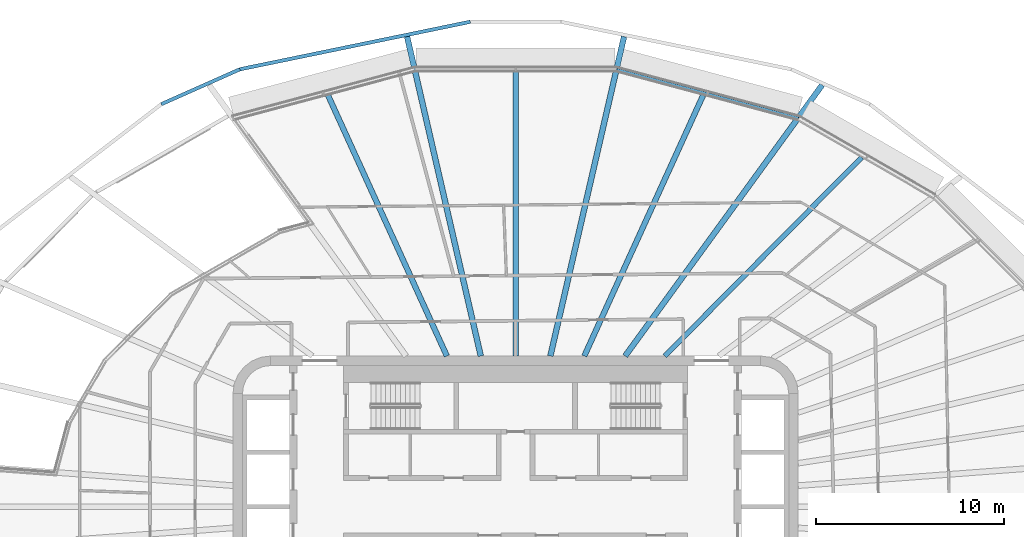
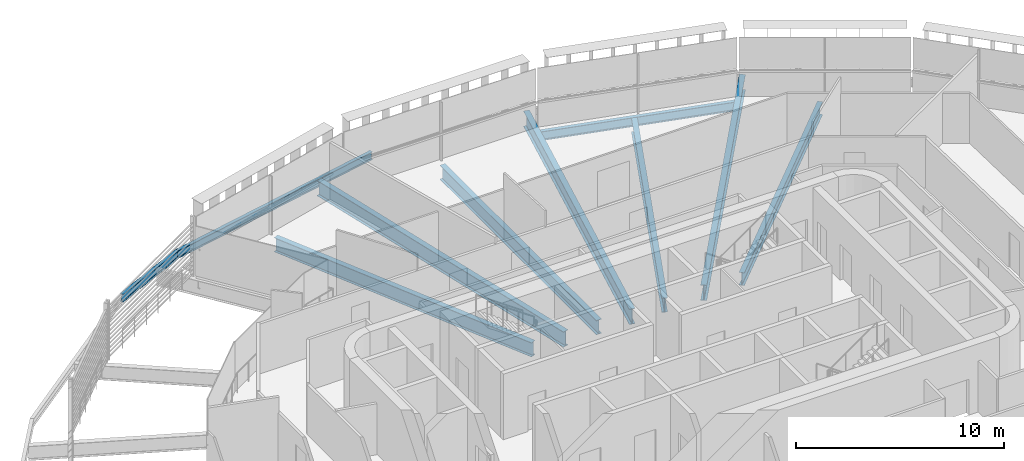
# One storey, part 6 of 22: 10 beams.
"""IFC4 building model written with IfcOpenShell, lengths in metres."""

from ifc_helpers import new_model, si_unit, direction, frame, origin, origin_2d, place, context, subcontext, project, spatial, i_section, extrude, material, material_profile, profile_set, type_object, element, save


model = new_model("IFC4")

# Units and contexts
model_context = context("Model", 3, precision=1e-05, world=origin(), true_north=direction((0.0, 1.0)))
body_context = subcontext(model_context, "Body", "Model", "MODEL_VIEW")
ifc_project = project(units=[si_unit("LENGTHUNIT", "METRE"), si_unit("AREAUNIT", "SQUARE_METRE"), si_unit("VOLUMEUNIT", "CUBIC_METRE"), si_unit("PLANEANGLEUNIT", "RADIAN"), si_unit("MASSUNIT", "GRAM", prefix="KILO")], contexts=[model_context])

# Site, building, storey
site_placement = place(None, origin())
site = spatial("IfcSite", under=ifc_project, at=site_placement, CompositionType="ELEMENT")
building_placement = place(site_placement, origin())
building = spatial("IfcBuilding", under=site, at=building_placement, Name="Sahrelin Media Tower", CompositionType="ELEMENT")
storey_placement = place(building_placement, frame((0.0, 0.0, 177.60009765625)))
storey = spatial("IfcBuildingStorey", under=building, at=storey_placement, Name="L37", CompositionType="ELEMENT", Elevation=177.60009765625)

# Beams
ifc_material = material(Name="Steel S355", Category="steel")
ifc_material_profile_1 = material_profile(ifc_material, i_section(OverallWidth=0.208740234375, OverallDepth=0.5283203125, WebThickness=0.009521484375, FlangeThickness=0.01318359375, FilletRadius=0.0126953125, at=origin_2d()), Name="UB 533x210x82")
ifc_profile_set_1 = profile_set([ifc_material_profile_1], Name="Steel S355")
beam_type_1 = type_object("IfcBeamType", Name="Edge beam EB6", PredefinedType="BEAM", material=ifc_profile_set_1)
beam_1_placement = place(storey_placement, frame((5.376953125, 23.1708984375, -0.414306640625), z_axis=(0.96592704093, -0.258814511957, 0.0), x_axis=(0.258814511957, 0.96592704093, 0.0)))
element("IfcBeam", 1, at=beam_1_placement, inside=storey, type_object=beam_type_1, Name="Edge beam L37-16", PredefinedType="BEAM", context=body_context, shape_type="SweptSolid", body=[
    extrude(i_section(OverallWidth=0.208740234375, OverallDepth=0.5283203125, WebThickness=0.009521484375, FlangeThickness=0.01318359375, FilletRadius=0.0126953125, at=origin_2d()), origin(), (0.0, 0.0, 1.0), 9.95849609375),
])
ifc_material_profile_2 = material_profile(ifc_material, i_section(OverallWidth=0.30322265625, OverallDepth=0.903076171875, WebThickness=0.01513671875, FlangeThickness=0.020263671875, FilletRadius=0.01904296875, at=origin_2d()), Name="UB 914x305x201")
ifc_profile_set_2 = profile_set([ifc_material_profile_2], Name="Steel S355")
beam_type_2 = type_object("IfcBeamType", Name="Radial primary beam PB11", PredefinedType="BEAM", material=ifc_profile_set_2)
beam_2_placement = place(storey_placement, frame((5.81494140625, 8.0, -0.6015625), z_axis=(0.587965973152, 0.80888566214, 0.0), x_axis=(-0.80888566214, 0.587965973152, 0.0)))
element("IfcBeam", 2, at=beam_2_placement, inside=storey, type_object=beam_type_2, Name="Radial beam L37-05", PredefinedType="BEAM", context=body_context, shape_type="SweptSolid", body=[
    extrude(i_section(OverallWidth=0.30322265625, OverallDepth=0.903076171875, WebThickness=0.01513671875, FlangeThickness=0.020263671875, FilletRadius=0.01904296875, at=origin_2d()), origin(), (0.0, 0.0, 1.0), 17.783447265625),
])
for number, where, z_axis, x_axis, name in (
    (3, (1.84619140625, 8.0, -0.6015625), (0.224860531753, 0.974390959143, 0.0), (-0.974390959143, 0.224860531753, 0.0), "Radial beam L37-06"),
    (4, (-1.84619140625, 8.0, -0.6015625), (-0.224860531753, 0.974390959143, 0.0), (-0.974390959143, -0.224860531753, 0.0), "Radial beam L37-07"),
):
    element("IfcBeam", number, at=place(storey_placement, frame(where, z_axis=z_axis, x_axis=x_axis)), inside=storey, type_object=beam_type_2, Name=name, PredefinedType="BEAM", context=body_context, shape_type="SweptSolid", body=[
        extrude(i_section(OverallWidth=0.30322265625, OverallDepth=0.903076171875, WebThickness=0.01513671875, FlangeThickness=0.020263671875, FilletRadius=0.01904296875, at=origin_2d()), origin(), (0.0, 0.0, 1.0), 17.394775390625),
    ])
ifc_material_profile_3 = material_profile(ifc_material, i_section(OverallWidth=0.291748046875, OverallDepth=0.8349609375, WebThickness=0.013916015625, FlangeThickness=0.018798828125, FilletRadius=0.017822265625, at=origin_2d()), Name="UB 838x292x176")
ifc_profile_set_3 = profile_set([ifc_material_profile_3], Name="Steel S355")
beam_type_3 = type_object("IfcBeamType", Name="Radial secondary beam SB10", PredefinedType="BEAM", material=ifc_profile_set_3)
beam_3_placement = place(storey_placement, frame((3.646484375, 8.0, -0.567626953125), z_axis=(0.414742623405, 0.909938765155, 0.0), x_axis=(-0.909938765155, 0.414742623405, 0.0)))
element("IfcBeam", 5, at=beam_3_placement, inside=storey, type_object=beam_type_3, Name="Secondary beam L37-05", PredefinedType="BEAM", context=body_context, shape_type="SweptSolid", body=[
    extrude(i_section(OverallWidth=0.291748046875, OverallDepth=0.8349609375, WebThickness=0.013916015625, FlangeThickness=0.018798828125, FilletRadius=0.017822265625, at=origin_2d()), origin(), (0.0, 0.0, 1.0), 15.2060546875),
])
beam_4_placement = place(storey_placement, frame((0.0, 8.0, -0.567626953125), z_axis=(0.0, 1.0, 0.0), x_axis=(-1.0, 0.0, 0.0)))
element("IfcBeam", 6, at=beam_4_placement, inside=storey, type_object=beam_type_3, Name="Secondary beam L37-06", PredefinedType="BEAM", context=body_context, shape_type="SweptSolid", body=[
    extrude(i_section(OverallWidth=0.291748046875, OverallDepth=0.8349609375, WebThickness=0.013916015625, FlangeThickness=0.018798828125, FilletRadius=0.017822265625, at=origin_2d()), origin(), (0.0, 0.0, 1.0), 15.060791015625),
])
beam_5_placement = place(storey_placement, frame((-3.646484375, 8.0, -0.567626953125), z_axis=(-0.414742623405, 0.909938765155, 0.0), x_axis=(-0.909938765155, -0.414742623405, 0.0)))
element("IfcBeam", 7, at=beam_5_placement, inside=storey, type_object=beam_type_3, Name="Secondary beam L37-07", PredefinedType="BEAM", context=body_context, shape_type="SweptSolid", body=[
    extrude(i_section(OverallWidth=0.291748046875, OverallDepth=0.8349609375, WebThickness=0.013916015625, FlangeThickness=0.018798828125, FilletRadius=0.017822265625, at=origin_2d()), origin(), (0.0, 0.0, 1.0), 15.2060546875),
])
ifc_material_profile_4 = material_profile(ifc_material, i_section(OverallWidth=0.26513671875, OverallDepth=0.75390625, WebThickness=0.0126953125, FlangeThickness=0.017578125, FilletRadius=0.0166015625, at=origin_2d()), Name="UB 762x267x147")
ifc_profile_set_4 = profile_set([ifc_material_profile_4], Name="Steel S355")
beam_type_4 = type_object("IfcBeamType", Name="Radial secondary beam SB9", PredefinedType="BEAM", material=ifc_profile_set_4)
beam_6_placement = place(storey_placement, frame((7.92431640625, 8.0, -0.527099609375), z_axis=(0.703742333182, 0.710455296615, 0.0), x_axis=(-0.710455296615, 0.703742333182, 0.0)))
element("IfcBeam", 8, at=beam_6_placement, inside=storey, type_object=beam_type_4, Name="Secondary beam L37-04", PredefinedType="BEAM", context=body_context, shape_type="SweptSolid", body=[
    extrude(i_section(OverallWidth=0.26513671875, OverallDepth=0.75390625, WebThickness=0.0126953125, FlangeThickness=0.017578125, FilletRadius=0.0166015625, at=origin_2d()), origin(), (0.0, 0.0, 1.0), 14.83837890625),
])
ifc_material_profile_5 = material_profile(ifc_material, i_section(OverallWidth=0.1904296875, OverallDepth=0.45703125, WebThickness=0.009033203125, FlangeThickness=0.014404296875, FilletRadius=0.01025390625, at=origin_2d()), Name="UB 457x191x74")
ifc_profile_set_5 = profile_set([ifc_material_profile_5], Name="Steel S355")
beam_type_5 = type_object("IfcBeamType", Name="Tie chord TC5", PredefinedType="BEAM", material=ifc_profile_set_5)
beam_7_placement = place(storey_placement, frame((-2.40478515625, 25.73779296875, -0.378662109375), z_axis=(-0.979388741221, -0.201984389419, 0.0), x_axis=(0.201984389419, -0.979388741221, 0.0)))
element("IfcBeam", 9, at=beam_7_placement, inside=storey, type_object=beam_type_5, Name="Tie chord L37-07", PredefinedType="BEAM", context=body_context, shape_type="SweptSolid", body=[
    extrude(i_section(OverallWidth=0.1904296875, OverallDepth=0.45703125, WebThickness=0.009033203125, FlangeThickness=0.014404296875, FilletRadius=0.01025390625, at=origin_2d()), origin(), (0.0, 0.0, 1.0), 12.489501953125),
])
beam_8_placement = place(storey_placement, frame((-14.636962890625, 23.215087890625, -0.378662109375), z_axis=(-0.913835844961, -0.40608379488, 0.0), x_axis=(0.40608379488, -0.913835844961, 0.0)))
element("IfcBeam", 10, at=beam_8_placement, inside=storey, type_object=beam_type_5, Name="Tie chord L37-08", PredefinedType="BEAM", context=body_context, shape_type="SweptSolid", body=[
    extrude(i_section(OverallWidth=0.1904296875, OverallDepth=0.45703125, WebThickness=0.009033203125, FlangeThickness=0.014404296875, FilletRadius=0.01025390625, at=origin_2d()), origin(), (0.0, 0.0, 1.0), 4.557861328125),
])

save(model, "model.ifc")
